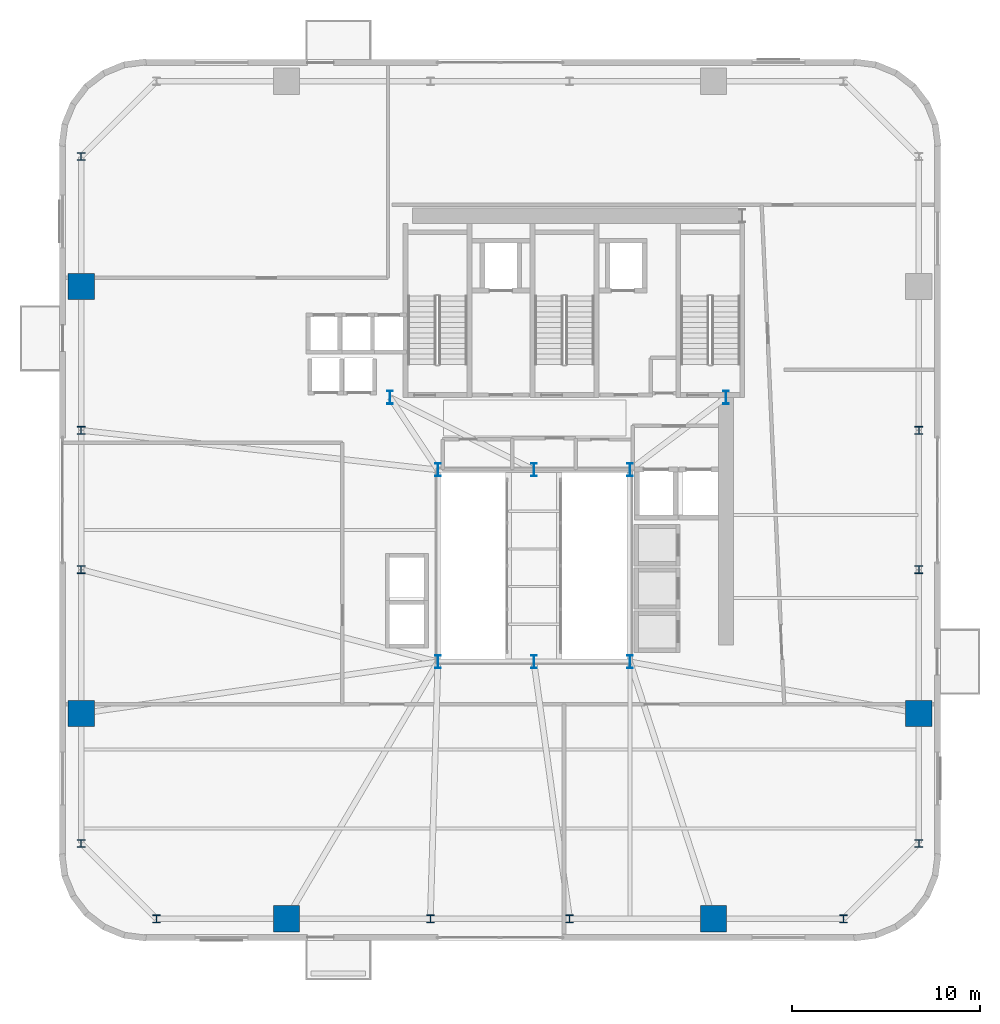
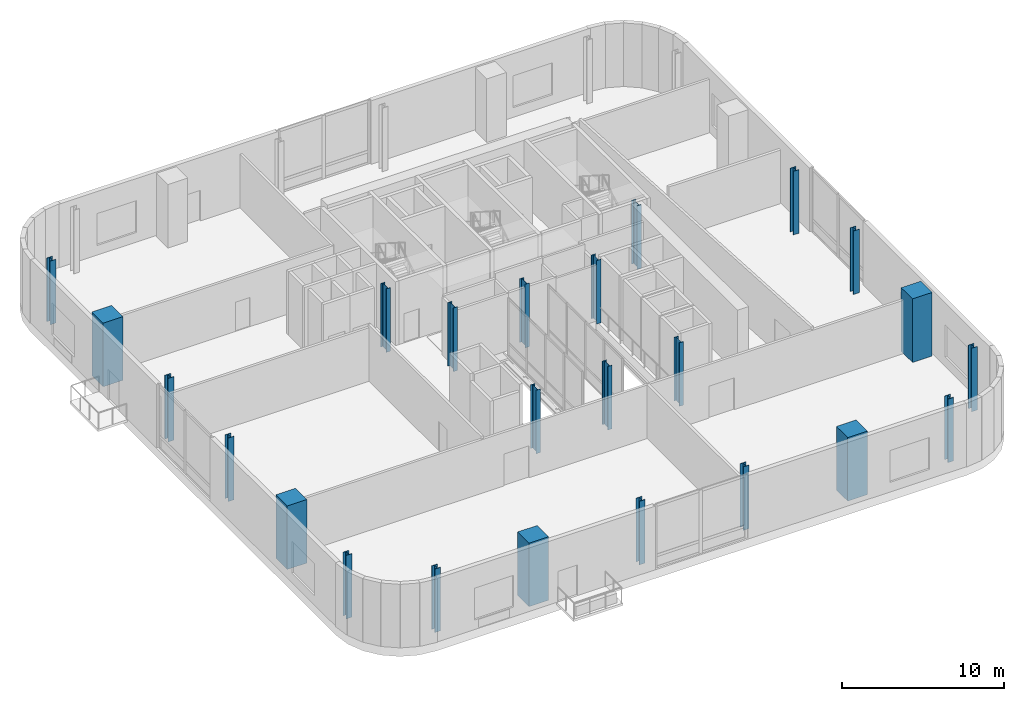
# One storey, part 1 of 14: 24 columns.
"""IFC4 building model written with IfcOpenShell, lengths in metres."""

import ifcopenshell
import ifcopenshell.guid

model = None  # the IFC model being written
_history = None  # IfcOwnerHistory: only IFC2X3 demands one
_inside = {}  # id of a spatial element -> (the spatial element, [elements in it])
_under = {}  # id of a project, library or spatial element -> (it, [spatial elements below it])
_declared = {}  # id of a project -> (the project, [libraries it declares])
_typed = {}  # id of a type object -> (the type object, [elements of that type])
_made_of = {}  # id of a material, layer set ... -> (it, [elements and type objects made of it])


def new_model(schema):
    """Start an empty IFC model of exactly this schema.

    Asked for "IFC4X3", IfcOpenShell would pick the latest addendum, in which some entities
    have other attributes; the version numbers below select the first issue.
    IFC2X3 requires an IfcOwnerHistory on every rooted entity: one is made here for all.
    """
    global model, _history
    if schema == "IFC4X3":
        model = ifcopenshell.file(schema_version=(4, 3, 0, 0))
    else:
        model = ifcopenshell.file(schema=schema)
    _inside.clear()
    _under.clear()
    _declared.clear()
    _typed.clear()
    _made_of.clear()
    _history = None
    if model.schema == "IFC2X3":
        org = make("IfcOrganization", Name="unknown")
        user = make(
            "IfcPersonAndOrganization",
            ThePerson=make("IfcPerson", FamilyName="unknown"),
            TheOrganization=org,
        )
        app = make(
            "IfcApplication",
            ApplicationDeveloper=org,
            Version="unknown",
            ApplicationFullName="unknown",
            ApplicationIdentifier="unknown",
        )
        _history = make(
            "IfcOwnerHistory",
            OwningUser=user,
            OwningApplication=app,
            ChangeAction="ADDED",
            CreationDate=0,
        )
    return model


def make(cls, **values):
    """One entity of the class cls with the attributes given. An attribute that is None is left unset."""
    return model.create_entity(
        cls, **{name: value for name, value in values.items() if value is not None}
    )


def rooted(cls, **values):
    """An entity with a GlobalId (a new one), such as an element, a storey or a relation."""
    return make(cls, GlobalId=ifcopenshell.guid.new(), OwnerHistory=_history, **values)


def si_unit(unit_type, name, prefix=None):
    """IfcSIUnit, for example si_unit("LENGTHUNIT", "METRE", prefix="MILLI")."""
    return make("IfcSIUnit", UnitType=unit_type, Prefix=prefix, Name=name)


def assignment(units):
    """IfcUnitAssignment: the units of a project."""
    return None if units is None else make("IfcUnitAssignment", Units=units)


def point(xyz):
    """IfcCartesianPoint."""
    return None if xyz is None else make("IfcCartesianPoint", Coordinates=xyz)


def direction(xyz):
    """IfcDirection."""
    return None if xyz is None else make("IfcDirection", DirectionRatios=xyz)


def frame(location, z_axis=None, x_axis=None):
    """IfcAxis2Placement3D, a coordinate frame: its origin and axes. An axis left out is left unset."""
    return make(
        "IfcAxis2Placement3D",
        Location=point(location),
        Axis=direction(z_axis),
        RefDirection=direction(x_axis),
    )


def frame_2d(location, x_axis=None):
    """IfcAxis2Placement2D, a coordinate frame in the plane: its origin and x axis."""
    return make(
        "IfcAxis2Placement2D", Location=point(location), RefDirection=direction(x_axis)
    )


def origin():
    """The frame at (0, 0, 0) with its axes left unset."""
    return frame((0.0, 0.0, 0.0))


def origin_2d():
    """The frame at (0, 0) in the plane with its x axis left unset."""
    return frame_2d((0.0, 0.0))


def place(relative_to, where):
    """IfcLocalPlacement: puts the frame where relative to a parent placement (None: the world)."""
    return make(
        "IfcLocalPlacement", PlacementRelTo=relative_to, RelativePlacement=where
    )


def context(
    kind, dimensions, precision=None, world=None, true_north=None, identifier=None
):
    """IfcGeometricRepresentationContext, for example the 3D "Model" context."""
    return make(
        "IfcGeometricRepresentationContext",
        ContextIdentifier=identifier,
        ContextType=kind,
        CoordinateSpaceDimension=dimensions,
        Precision=precision,
        WorldCoordinateSystem=world,
        TrueNorth=true_north,
    )


def subcontext(parent, identifier, kind, view, scale=None):
    """IfcGeometricRepresentationSubContext, for example "Body" below "Model"."""
    return make(
        "IfcGeometricRepresentationSubContext",
        ContextIdentifier=identifier,
        ContextType=kind,
        ParentContext=parent,
        TargetScale=scale,
        TargetView=view,
    )


def project(units=None, contexts=None):
    """IfcProject with its units and contexts."""
    return rooted(
        "IfcProject",
        Name="project",
        RepresentationContexts=contexts,
        UnitsInContext=assignment(units),
    )


def spatial(cls, under=None, at=None, **own):
    """A site, building, storey or space (cls), placed at a placement, below another one or the project."""
    s = rooted(cls, ObjectPlacement=at, **own)
    if under is not None:
        _under.setdefault(under.id(), (under, []))[1].append(s)
    return s


def profile(cls, at=None, kind="AREA", **sizes):
    """A parametric profile (cls). Its sizes go by their IFC names, for example OverallWidth=200.0."""
    return make(cls, ProfileType=kind, Position=at, **sizes)


def rectangle(**sizes):
    """IfcRectangleProfileDef."""
    return profile("IfcRectangleProfileDef", **sizes)


def i_section(**sizes):
    """IfcIShapeProfileDef."""
    return profile("IfcIShapeProfileDef", **sizes)


def extrude(swept, where, along, depth):
    """IfcExtrudedAreaSolid: the profile swept, set in the frame where, extruded along a direction by depth."""
    return make(
        "IfcExtrudedAreaSolid",
        SweptArea=swept,
        Position=where,
        ExtrudedDirection=direction(along),
        Depth=depth,
    )


def shape(context_of_items, identifier, shape_type, items):
    """IfcShapeRepresentation: the items that make up one representation, for example the "Body"."""
    return make(
        "IfcShapeRepresentation",
        ContextOfItems=context_of_items,
        RepresentationIdentifier=identifier,
        RepresentationType=shape_type,
        Items=items,
    )


def source(mapping_origin, context_of_items, identifier, shape_type, items):
    """IfcRepresentationMap: a shape defined once, which mapped items show again and again."""
    return make(
        "IfcRepresentationMap",
        MappingOrigin=mapping_origin,
        MappedRepresentation=shape(context_of_items, identifier, shape_type, items),
    )


def transform(
    local_origin,
    x_axis=None,
    y_axis=None,
    z_axis=None,
    scale=None,
    scale2=None,
    scale3=None,
    uniform=True,
):
    """IfcCartesianTransformationOperator3D, or its non-uniform kind. x_axis, y_axis, z_axis: its Axis1, 2, 3."""
    if uniform:
        return make(
            "IfcCartesianTransformationOperator3D",
            Axis1=direction(x_axis),
            Axis2=direction(y_axis),
            LocalOrigin=point(local_origin),
            Scale=scale,
            Axis3=direction(z_axis),
        )
    return make(
        "IfcCartesianTransformationOperator3DnonUniform",
        Axis1=direction(x_axis),
        Axis2=direction(y_axis),
        LocalOrigin=point(local_origin),
        Scale=scale,
        Axis3=direction(z_axis),
        Scale2=scale2,
        Scale3=scale3,
    )


def mapped(mapping_source, mapping_target):
    """IfcMappedItem: shows the shape of a source again, moved by a transform."""
    return make(
        "IfcMappedItem", MappingSource=mapping_source, MappingTarget=mapping_target
    )


def material(Name=None, Category=None):
    """IfcMaterial."""
    return make("IfcMaterial", Name=Name, Category=Category)


def material_profile(
    of_material, cross_section, Name=None, Category=None, Priority=None
):
    """IfcMaterialProfile: a cross section and its material."""
    return make(
        "IfcMaterialProfile",
        Name=Name,
        Material=of_material,
        Profile=cross_section,
        Priority=Priority,
        Category=Category,
    )


def profile_set(profiles, Name=None, composite=None):
    """IfcMaterialProfileSet."""
    return make(
        "IfcMaterialProfileSet",
        Name=Name,
        MaterialProfiles=profiles,
        CompositeProfile=composite,
    )


def made_of(thing, what):
    """Note that an element or type object is made of a material, layer set ...; save() writes the relation."""
    if what is not None:
        _made_of.setdefault(what.id(), (what, []))[1].append(thing)
    return thing


def type_object(cls, material=None, **own):
    """A type object (cls), such as IfcWallType, which elements share."""
    return made_of(rooted(cls, **own), material)


def element(
    cls,
    number,
    at=None,
    inside=None,
    cuts=None,
    type_object=None,
    material=None,
    context=None,
    identifier="Body",
    shape_type=None,
    held_by="IfcProductDefinitionShape",
    body=None,
    shapes=None,
    **own,
):
    """One element of the class cls, such as IfcWall. Its Tag is "e" and its number.

    at: its placement. inside: the storey or other place that contains it. cuts: it is an
    opening in that element (IfcRelVoidsElement). A single representation is given by context,
    identifier, shape_type and body (its items); several are given by shapes. held_by: the class
    of the entity that holds the representations. save() writes the other relations.
    """
    e = rooted(cls, Tag="e%d" % number, ObjectPlacement=at, **own)
    if body is not None:
        shapes = [shape(context, identifier, shape_type, body)]
    if shapes is not None:
        e.Representation = make(held_by, Representations=shapes)
    if inside is not None:
        _inside.setdefault(inside.id(), (inside, []))[1].append(e)
    if cuts is not None:
        rooted(
            "IfcRelVoidsElement", RelatingBuildingElement=cuts, RelatedOpeningElement=e
        )
    if type_object is not None:
        _typed.setdefault(type_object.id(), (type_object, []))[1].append(e)
    return made_of(e, material)


def aggregate(whole, parts):
    """IfcRelAggregates: a whole, such as a stair, and the parts it consists of."""
    return rooted("IfcRelAggregates", RelatingObject=whole, RelatedObjects=parts)


def save(model, path):
    """Write the relations noted so far, then the file.

    IfcRelAggregates (storeys below a building ...), IfcRelContainedInSpatialStructure (elements
    in a storey), IfcRelDefinesByType, IfcRelAssociatesMaterial and IfcRelDeclares: one each for
    every whole, place, type object, material and project.
    """
    for whole, parts in _under.values():
        aggregate(whole, parts)
    for where, things in _inside.values():
        rooted(
            "IfcRelContainedInSpatialStructure",
            RelatedElements=things,
            RelatingStructure=where,
        )
    for kind, things in _typed.values():
        rooted("IfcRelDefinesByType", RelatedObjects=things, RelatingType=kind)
    for what, things in _made_of.values():
        rooted("IfcRelAssociatesMaterial", RelatedObjects=things, RelatingMaterial=what)
    for by, libraries in _declared.values():
        rooted("IfcRelDeclares", RelatingContext=by, RelatedDefinitions=libraries)
    model.write(path)


model = new_model("IFC4")

# Units and contexts
model_context = context("Model", 3, precision=1e-05, world=origin(), true_north=direction((0.0, 1.0)))
body_context = subcontext(model_context, "Body", "Model", "MODEL_VIEW")
ifc_project = project(units=[si_unit("LENGTHUNIT", "METRE"), si_unit("AREAUNIT", "SQUARE_METRE"), si_unit("VOLUMEUNIT", "CUBIC_METRE"), si_unit("PLANEANGLEUNIT", "RADIAN"), si_unit("MASSUNIT", "GRAM", prefix="KILO")], contexts=[model_context])

# Site, building, storey
site_placement = place(None, origin())
site = spatial("IfcSite", under=ifc_project, at=site_placement, CompositionType="ELEMENT")
building_placement = place(site_placement, origin())
building = spatial("IfcBuilding", under=site, at=building_placement, Name="Vardaveli Station Tower", CompositionType="ELEMENT")
storey_placement = place(building_placement, frame((0.0, 0.0, 172.199951171875)))
storey = spatial("IfcBuildingStorey", under=building, at=storey_placement, Name="L44", CompositionType="ELEMENT", Elevation=172.199951171875)

# Columns
ifc_material_1 = material(Name="Structural steel S460M", Category="steel")
ifc_material_profile_1 = material_profile(ifc_material_1, i_section(OverallWidth=0.300048828125, OverallDepth=0.699951171875, WebThickness=0.01708984375, FlangeThickness=0.031982421875, FilletRadius=0.027099609375, at=origin_2d()), Name="HEB 700")
ifc_profile_set_1 = profile_set([ifc_material_profile_1], Name="Structural steel S460M")
column_type_1 = type_object("IfcColumnType", Name="COL-HEB700", PredefinedType="COLUMN", material=ifc_profile_set_1)
shared_shape_1 = source(origin(), body_context, "Body", "SweptSolid", [
    extrude(i_section(OverallWidth=0.300048828125, OverallDepth=0.699951171875, WebThickness=0.01708984375, FlangeThickness=0.031982421875, FilletRadius=0.027099609375, at=origin_2d()), origin(), (0.0, 0.0, 1.0), 4.780029296875),
])
for number, where, z_axis, x_axis, name in (
    (1, (31.199951171875, 16.60009765625, 0.0), (0.0, 0.0, 1.0), (1.0, 0.0, 0.0), "COL-L44-AC1"),
    (2, (36.300048828125, 16.60009765625, 0.0), (0.0, 0.0, 1.0), (1.0, 0.0, 0.0), "COL-L44-AC2"),
    (3, (41.39990234375, 16.60009765625, 0.0), (0.0, 0.0, 1.0), (1.0, 0.0, 0.0), "COL-L44-AC3"),
    (4, (41.39990234375, 26.800048828125, 0.0), (0.0, 0.0, 1.0), (1.0, 0.0, 0.0), "COL-L44-AC4"),
    (5, (36.300048828125, 26.800048828125, 0.0), (0.0, 0.0, 1.0), (1.0, 0.0, 0.0), "COL-L44-AC5"),
    (6, (31.199951171875, 26.800048828125, 0.0), (0.0, 0.0, 1.0), (1.0, 0.0, 0.0), "COL-L44-AC6"),
    (7, (28.64990234375, 30.64990234375, 0.0), (0.0, 0.0, 1.0), (1.0, 0.0, 0.0), "COL-L44-CC1"),
    (8, (46.5, 30.64990234375, 0.0), (0.0, 0.0, 1.0), (1.0, 0.0, 0.0), "COL-L44-CC2"),
):
    element("IfcColumn", number, at=place(storey_placement, frame(where, z_axis=z_axis, x_axis=x_axis)), inside=storey, type_object=column_type_1, Name=name, PredefinedType="COLUMN", context=body_context, shape_type="MappedRepresentation", body=[
        mapped(shared_shape_1, transform((0.0, 0.0, 0.0), scale=1.0)),
    ])
ifc_material_2 = material(Name="Concrete C50/60", Category="concrete")
ifc_material_profile_2 = material_profile(ifc_material_2, rectangle(XDim=1.39990234375, YDim=1.39990234375, at=origin_2d()), Name="MC 1400x1400")
ifc_profile_set_2 = profile_set([ifc_material_profile_2], Name="Concrete C50/60")
column_type_2 = type_object("IfcColumnType", Name="COL-MC-1400", PredefinedType="COLUMN", material=ifc_profile_set_2)
shared_shape_2 = source(origin(), body_context, "Body", "SweptSolid", [
    extrude(rectangle(XDim=1.39990234375, YDim=1.39990234375, at=origin_2d()), origin(), (0.0, 0.0, 1.0), 4.780029296875),
])
for number, where, z_axis, x_axis, name in (
    (9, (23.159912109375, 2.949951171875, 0.0), (0.0, 0.0, 1.0), (1.0, 0.0, 0.0), "COL-L44-MC1"),
    (10, (45.840087890625, 2.949951171875, 0.0), (0.0, 0.0, 1.0), (1.0, 0.0, 0.0), "COL-L44-MC2"),
    (11, (56.75, 13.860107421875, 0.0), (0.0, 0.0, 1.0), (1.0, 0.0, 0.0), "COL-L44-MC3"),
    (12, (12.25, 36.5400390625, 0.0), (0.0, 0.0, 1.0), (1.0, 0.0, 0.0), "COL-L44-MC7"),
    (13, (12.25, 13.860107421875, 0.0), (0.0, 0.0, 1.0), (1.0, 0.0, 0.0), "COL-L44-MC8"),
):
    element("IfcColumn", number, at=place(storey_placement, frame(where, z_axis=z_axis, x_axis=x_axis)), inside=storey, type_object=column_type_2, Name=name, PredefinedType="COLUMN", context=body_context, shape_type="MappedRepresentation", body=[
        mapped(shared_shape_2, transform((0.0, 0.0, 0.0), scale=1.0)),
    ])
ifc_material_profile_3 = material_profile(ifc_material_1, i_section(OverallWidth=0.408935546875, OverallDepth=0.4169921875, WebThickness=0.021240234375, FlangeThickness=0.033203125, FilletRadius=0.014892578125, at=origin_2d()), Name="HD 400x347")
ifc_profile_set_3 = profile_set([ifc_material_profile_3], Name="Structural steel S460M")
column_type_3 = type_object("IfcColumnType", Name="COL-HD347", PredefinedType="COLUMN", material=ifc_profile_set_3)
shared_shape_3 = source(origin(), body_context, "Body", "SweptSolid", [
    extrude(i_section(OverallWidth=0.408935546875, OverallDepth=0.4169921875, WebThickness=0.021240234375, FlangeThickness=0.033203125, FilletRadius=0.014892578125, at=origin_2d()), origin(), (0.0, 0.0, 1.0), 4.780029296875),
])
for number, where, z_axis, x_axis, name in (
    (14, (16.25, 2.949951171875, 0.0), (0.0, 0.0, 1.0), (1.0, 0.0, 0.0), "COL-L44-PC01"),
    (15, (30.800048828125, 2.949951171875, 0.0), (0.0, 0.0, 1.0), (1.0, 0.0, 0.0), "COL-L44-PC02"),
    (16, (38.199951171875, 2.949951171875, 0.0), (0.0, 0.0, 1.0), (1.0, 0.0, 0.0), "COL-L44-PC03"),
    (17, (52.75, 2.949951171875, 0.0), (0.0, 0.0, 1.0), (1.0, 0.0, 0.0), "COL-L44-PC04"),
    (18, (56.75, 6.949951171875, 0.0), (0.0, 0.0, 1.0), (1.0, 0.0, 0.0), "COL-L44-PC05"),
    (19, (56.75, 21.5, 0.0), (0.0, 0.0, 1.0), (1.0, 0.0, 0.0), "COL-L44-PC06"),
    (20, (56.75, 28.89990234375, 0.0), (0.0, 0.0, 1.0), (1.0, 0.0, 0.0), "COL-L44-PC07"),
    (21, (12.25, 43.449951171875, 0.0), (0.0, 0.0, 1.0), (1.0, 0.0, 0.0), "COL-L44-PC13"),
    (22, (12.25, 28.89990234375, 0.0), (0.0, 0.0, 1.0), (1.0, 0.0, 0.0), "COL-L44-PC14"),
    (23, (12.25, 21.5, 0.0), (0.0, 0.0, 1.0), (1.0, 0.0, 0.0), "COL-L44-PC15"),
    (24, (12.25, 6.949951171875, 0.0), (0.0, 0.0, 1.0), (1.0, 0.0, 0.0), "COL-L44-PC16"),
):
    element("IfcColumn", number, at=place(storey_placement, frame(where, z_axis=z_axis, x_axis=x_axis)), inside=storey, type_object=column_type_3, Name=name, PredefinedType="COLUMN", context=body_context, shape_type="MappedRepresentation", body=[
        mapped(shared_shape_3, transform((0.0, 0.0, 0.0), scale=1.0)),
    ])

save(model, "model.ifc")
